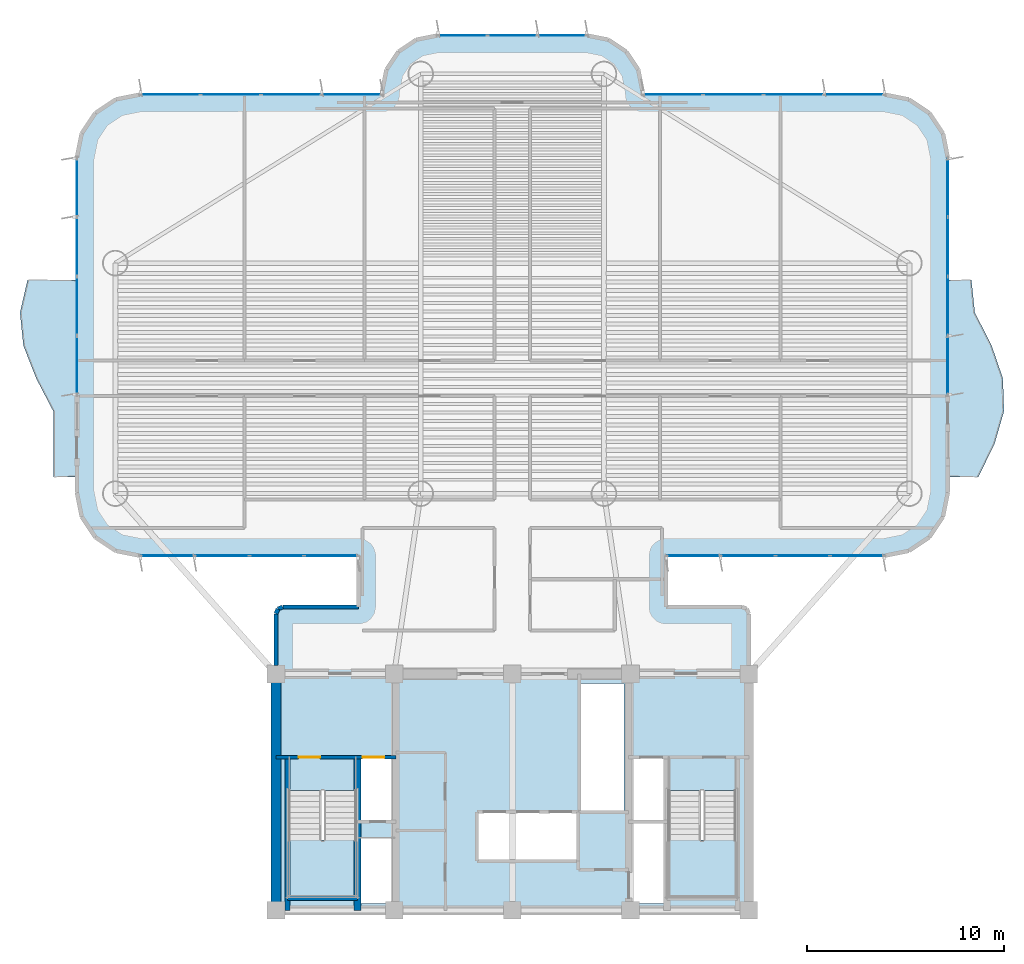
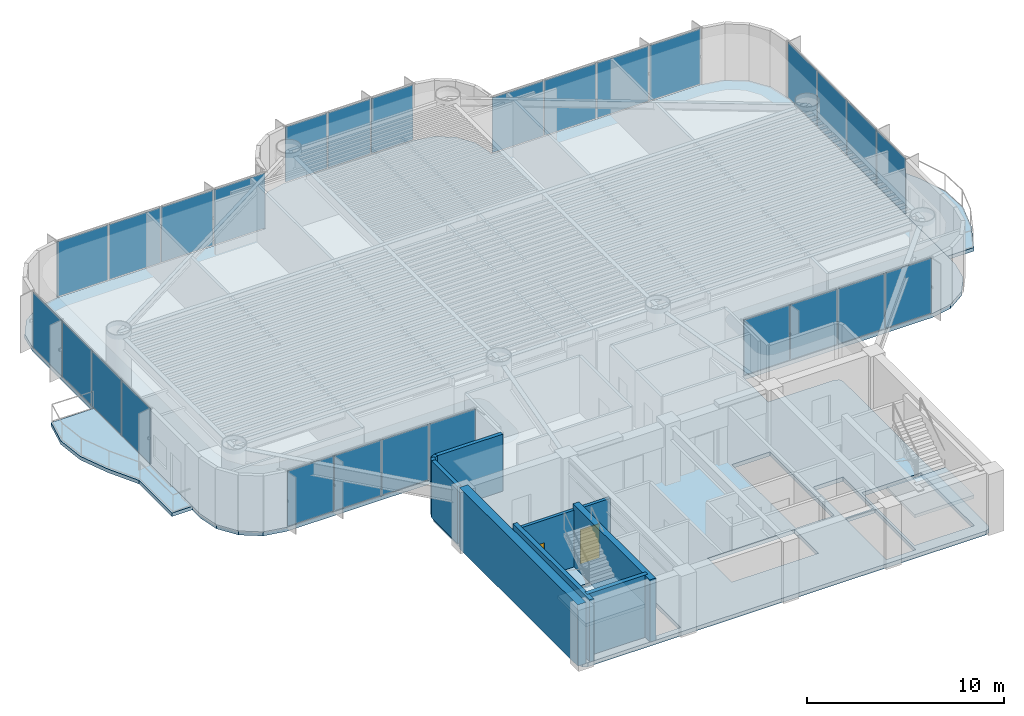
# One storey, part 8 of 16: 27 plates, 9 walls, 5 slabs, 2 doors, 2 openings, 9 elements without a shape of their own.
"""IFC4 building model written with IfcOpenShell, lengths in metres."""

from ifc_helpers import new_model, si_unit, direction, frame, frame_2d, origin, origin_2d, place, context, subcontext, project, spatial, polyline, rectangle, outline, extrude, source, transform, mapped, material, layer, layer_set, type_object, element, fill, aggregate, save


model = new_model("IFC4")

# Units and contexts
model_context = context("Model", 3, precision=1e-05, world=origin(), true_north=direction((0.0, 1.0)))
body_context = subcontext(model_context, "Body", "Model", "MODEL_VIEW")
ifc_project = project(units=[si_unit("LENGTHUNIT", "METRE"), si_unit("AREAUNIT", "SQUARE_METRE"), si_unit("VOLUMEUNIT", "CUBIC_METRE"), si_unit("PLANEANGLEUNIT", "RADIAN"), si_unit("MASSUNIT", "GRAM", prefix="KILO")], contexts=[model_context])

# Site, building, storey
site_placement = place(None, origin())
site = spatial("IfcSite", under=ifc_project, at=site_placement, CompositionType="ELEMENT")
building_placement = place(site_placement, origin())
building = spatial("IfcBuilding", under=site, at=building_placement, Name="Brelvock Crest Care Tower", CompositionType="ELEMENT")
storey_placement = place(building_placement, frame((0.0, 0.0, 108.719970703125)))
storey = spatial("IfcBuildingStorey", under=building, at=storey_placement, Name="L27", CompositionType="ELEMENT", Elevation=108.719970703125)

# Slabs
ifc_material_1 = material(Name="Concrete N50 (50 MPa)", Category="concrete")
ifc_layer_1 = layer(ifc_material_1, 0.22998046875, Name="SLB-FL4")
ifc_layer_set_1 = layer_set([ifc_layer_1], Name="Concrete N50 (50 MPa)")
slab_type_1 = type_object("IfcSlabType", Name="SLB-FL4", PredefinedType="FLOOR", material=ifc_layer_set_1)
slab_1_placement = place(storey_placement, frame((0.0, 0.0, -0.25)))
element("IfcSlab", 1, at=slab_1_placement, inside=storey, type_object=slab_type_1, Name="L27 Main Structural Slab", PredefinedType="FLOOR", context=body_context, shape_type="SweptSolid", body=[
    extrude(outline(polyline([(47.64990234375, 21.39990234375), (43.800048828125, 21.39990234375), (43.800048828125, 24.0), (54.89990234375, 24.0), (56.12451171875, 24.24365234375), (57.16259765625, 24.937255859375), (57.8564453125, 25.975341796875), (58.10009765625, 27.199951171875), (58.10009765625, 44.199951171875), (57.8564453125, 45.424560546875), (57.16259765625, 46.462646484375), (56.12451171875, 47.156494140625), (54.89990234375, 47.39990234375), (42.60009765625, 47.39990234375), (42.60009765625, 47.60009765625), (42.386962890625, 48.67138671875), (41.77978515625, 49.579833984375), (40.87158203125, 50.18701171875), (39.800048828125, 50.39990234375), (32.199951171875, 50.39990234375), (31.12841796875, 50.18701171875), (30.22021484375, 49.579833984375), (29.613037109375, 48.67138671875), (29.39990234375, 47.60009765625), (29.39990234375, 47.39990234375), (17.10009765625, 47.39990234375), (15.87548828125, 47.156494140625), (14.83740234375, 46.462646484375), (14.1435546875, 45.424560546875), (13.89990234375, 44.199951171875), (13.89990234375, 27.199951171875), (14.1435546875, 25.975341796875), (14.83740234375, 24.937255859375), (15.87548828125, 24.24365234375), (17.10009765625, 24.0), (28.199951171875, 24.0), (28.199951171875, 21.39990234375), (24.35009765625, 21.39990234375), (24.1025390625, 21.297607421875), (24.0, 21.050048828125), (24.0, 6.35009765625), (24.1025390625, 6.1025390625), (24.35009765625, 6.0), (47.64990234375, 6.0), (47.8974609375, 6.1025390625), (48.0, 6.35009765625), (48.0, 21.050048828125), (47.8974609375, 21.297607421875), (47.64990234375, 21.39990234375)]), holes=[polyline([(28.239990234375, 10.580078125), (29.97998046875, 10.580078125), (29.97998046875, 13.739990234375), (28.239990234375, 13.739990234375), (28.239990234375, 10.580078125)]), polyline([(42.02001953125, 10.580078125), (43.760009765625, 10.580078125), (43.760009765625, 13.739990234375), (42.02001953125, 13.739990234375), (42.02001953125, 10.580078125)]), polyline([(28.239990234375, 6.340087890625), (29.97998046875, 6.340087890625), (29.97998046875, 9.64990234375), (28.239990234375, 9.64990234375), (28.239990234375, 6.340087890625)]), polyline([(24.6298828125, 12.080078125), (24.6298828125, 6.699951171875), (28.110107421875, 6.699951171875), (28.110107421875, 12.080078125), (24.6298828125, 12.080078125)]), polyline([(43.889892578125, 12.080078125), (43.889892578125, 6.699951171875), (47.3701171875, 6.699951171875), (47.3701171875, 12.080078125), (43.889892578125, 12.080078125)]), polyline([(42.02001953125, 6.340087890625), (43.760009765625, 6.340087890625), (43.760009765625, 10.5), (42.02001953125, 10.5), (42.02001953125, 6.340087890625)]), polyline([(34.22998046875, 8.530029296875), (39.320068359375, 8.530029296875), (39.320068359375, 10.969970703125), (34.22998046875, 10.969970703125), (34.22998046875, 8.530029296875)]), polyline([(39.429931640625, 11.030029296875), (41.669921875, 11.030029296875), (41.669921875, 17.52001953125), (39.429931640625, 17.52001953125), (39.429931640625, 11.030029296875)])]), origin(), (0.0, 0.0, 1.0), 0.25),
])
ifc_layer_2 = layer(ifc_material_1, 0.219970703125, Name="SLB-WB1")
ifc_layer_set_2 = layer_set([ifc_layer_2], Name="Concrete N50 (50 MPa)")
slab_type_2 = type_object("IfcSlabType", Name="SLB-WB1", PredefinedType="FLOOR", material=ifc_layer_set_2)
slab_2_placement = place(storey_placement, frame((0.0, 0.0, -0.219970703125)))
element("IfcSlab", 2, at=slab_2_placement, inside=storey, type_object=slab_type_2, Name="L27 W Sinusoidal Wave Balcony Slab", PredefinedType="FLOOR", context=body_context, shape_type="SweptSolid", body=[
    extrude(outline(polyline([(13.89990234375, 38.0), (11.3955078125, 38.0), (11.011474609375, 36.333251953125), (11.180908203125, 34.666748046875), (11.83349609375, 33.0), (12.699462890625, 31.333251953125), (12.699951171875, 29.666748046875), (12.699951171875, 28.0), (13.89990234375, 28.0), (13.89990234375, 38.0)])), origin(), (0.0, 0.0, 1.0), 0.219970703125),
])
slab_3_placement = place(storey_placement, frame((0.0, 0.0, -0.219970703125)))
element("IfcSlab", 3, at=slab_3_placement, inside=storey, type_object=slab_type_2, Name="L27 E Sinusoidal Wave Balcony Slab", PredefinedType="FLOOR", context=body_context, shape_type="SweptSolid", body=[
    extrude(outline(polyline([(58.10009765625, 28.0), (59.64990234375, 28.0), (60.4716796875, 29.666748046875), (60.9541015625, 31.333251953125), (60.897216796875, 33.0), (60.324951171875, 34.666748046875), (59.473876953125, 36.333251953125), (59.300048828125, 38.0), (58.10009765625, 38.0), (58.10009765625, 28.0)])), origin(), (0.0, 0.0, 1.0), 0.219970703125),
])

# Stair, slab
ifc_material_2 = material(Name="Concrete N40 (40 MPa)", Category="concrete")
stair_type = type_object("IfcStairType", Name="ST-CORE1", PredefinedType="HALF_TURN_STAIR", material=ifc_material_2)
stair_1_placement = place(storey_placement, origin())
stair_1 = element("IfcStair", 4, at=stair_1_placement, inside=storey, type_object=stair_type, Name="L27 Fire-Isolated Core Stair ST-1", PredefinedType="HALF_TURN_STAIR")
ifc_layer_3 = layer(ifc_material_2, 0.199951171875, Name="STL-1")
ifc_layer_set_3 = layer_set([ifc_layer_3], Name="Concrete N40 (40 MPa)")
slab_type_3 = type_object("IfcSlabType", Name="STL-1", PredefinedType="LANDING", material=ifc_layer_set_3)
slab_4_placement = place(storey_placement, frame((0.0, 0.0, 1.68994140625)))
slab_4 = element("IfcSlab", 5, at=slab_4_placement, type_object=slab_type_3, Name="ST-1 landing 1", PredefinedType="LANDING", context=body_context, shape_type="SweptSolid", body=[
    extrude(outline(polyline([(24.6298828125, 9.56005859375), (24.6298828125, 6.699951171875), (28.110107421875, 6.699951171875), (28.110107421875, 9.56005859375), (24.6298828125, 9.56005859375)])), origin(), (0.0, 0.0, 1.0), 0.2001953125),
])
aggregate(stair_1, [slab_4])

stair_2_placement = place(storey_placement, origin())
stair_2 = element("IfcStair", 6, at=stair_2_placement, inside=storey, type_object=stair_type, Name="L27 Fire-Isolated Core Stair ST-2", PredefinedType="HALF_TURN_STAIR")
slab_5_placement = place(storey_placement, frame((0.0, 0.0, 1.68994140625)))
slab_5 = element("IfcSlab", 7, at=slab_5_placement, type_object=slab_type_3, Name="ST-2 landing 1", PredefinedType="LANDING", context=body_context, shape_type="SweptSolid", body=[
    extrude(outline(polyline([(43.889892578125, 9.56005859375), (43.889892578125, 6.699951171875), (47.3701171875, 6.699951171875), (47.3701171875, 9.56005859375), (43.889892578125, 9.56005859375)])), origin(), (0.0, 0.0, 1.0), 0.2001953125),
])
aggregate(stair_2, [slab_5])

# Curtain wall, plates
ifc_material_3 = material(Name="Dark Glass Double Glazed Low-E", Category="glass")
ifc_layer_4 = layer(ifc_material_3, 0.2099609375, Name="CWS-3")
ifc_layer_set_4 = layer_set([ifc_layer_4], Name="Dark Glass Double Glazed Low-E")
curtain_wall_type = type_object("IfcCurtainWallType", Name="CWS-3", PredefinedType="NOTDEFINED", material=ifc_layer_set_4)
curtain_wall_1_placement = place(storey_placement, origin())
curtain_wall_1 = element("IfcCurtainWall", 8, at=curtain_wall_1_placement, inside=storey, type_object=curtain_wall_type, Name="L27 Curtain Wall E12", PredefinedType="NOTDEFINED")
ifc_layer_5 = layer(ifc_material_3, 0.031982421875, Name="CWP-V1")
ifc_layer_set_5 = layer_set([ifc_layer_5], Name="Dark Glass Double Glazed Low-E")
plate_type = type_object("IfcPlateType", Name="CWP-V1", PredefinedType="CURTAIN_PANEL", material=ifc_layer_set_5)
shared_shape_1 = source(origin(), body_context, "Body", "SweptSolid", [
    extrude(rectangle(XDim=2.68505859375, YDim=0.035888671875, at=origin_2d()), origin(), (0.0, 0.0, 1.0), 3.409912109375),
])
plate_1_placement = place(storey_placement, frame((26.797607421875, 24.0, 0.06005859375), z_axis=(0.0, 0.0, 1.0), x_axis=(-1.0, 0.0, 0.0)))
plate_1 = element("IfcPlate", 9, at=plate_1_placement, type_object=plate_type, Name="CW-3 panel 1.1", PredefinedType="CURTAIN_PANEL", context=body_context, shape_type="MappedRepresentation", body=[
    mapped(shared_shape_1, transform((0.0, 0.0, 0.0), x_axis=(1.0, 0.0, 0.0), y_axis=(0.0, 1.0, 0.0), z_axis=(0.0, 0.0, 1.0), scale=1.0)),
])
plate_2_placement = place(storey_placement, frame((18.50244140625, 24.0, 0.06005859375), z_axis=(0.0, 0.0, 1.0), x_axis=(-1.0, 0.0, 0.0)))
plate_2 = element("IfcPlate", 10, at=plate_2_placement, type_object=plate_type, Name="CW-3 panel 4.1", PredefinedType="CURTAIN_PANEL", context=body_context, shape_type="MappedRepresentation", body=[
    mapped(shared_shape_1, transform((0.0, 0.0, 0.0), x_axis=(1.0, 0.0, 0.0), y_axis=(0.0, 1.0, 0.0), z_axis=(0.0, 0.0, 1.0), scale=1.0)),
])

curtain_wall_2_placement = place(storey_placement, origin())
curtain_wall_2 = element("IfcCurtainWall", 11, at=curtain_wall_2_placement, inside=storey, type_object=curtain_wall_type, Name="L27 Curtain Wall E44", PredefinedType="NOTDEFINED")
plate_3_placement = place(storey_placement, frame((53.49755859375, 24.0, 0.06005859375), z_axis=(0.0, 0.0, 1.0), x_axis=(-1.0, 0.0, 0.0)))
plate_3 = element("IfcPlate", 12, at=plate_3_placement, type_object=plate_type, Name="CW-3 panel 1.1", PredefinedType="CURTAIN_PANEL", context=body_context, shape_type="MappedRepresentation", body=[
    mapped(shared_shape_1, transform((0.0, 0.0, 0.0), x_axis=(1.0, 0.0, 0.0), y_axis=(0.0, 1.0, 0.0), z_axis=(0.0, 0.0, 1.0), scale=1.0)),
])
plate_4_placement = place(storey_placement, frame((45.202392578125, 24.0, 0.06005859375), z_axis=(0.0, 0.0, 1.0), x_axis=(-1.0, 0.0, 0.0)))
plate_4 = element("IfcPlate", 13, at=plate_4_placement, type_object=plate_type, Name="CW-3 panel 4.1", PredefinedType="CURTAIN_PANEL", context=body_context, shape_type="MappedRepresentation", body=[
    mapped(shared_shape_1, transform((0.0, 0.0, 0.0), x_axis=(1.0, 0.0, 0.0), y_axis=(0.0, 1.0, 0.0), z_axis=(0.0, 0.0, 1.0), scale=1.0)),
])

# Plate
shared_shape_2 = source(origin(), body_context, "Body", "SweptSolid", [
    extrude(rectangle(XDim=2.715087890625, YDim=0.035888671875, at=origin_2d()), origin(), (0.0, 0.0, 1.0), 3.409912109375),
])
plate_5_placement = place(storey_placement, frame((24.03759765625, 24.0, 0.06005859375), z_axis=(0.0, 0.0, 1.0), x_axis=(-1.0, 0.0, 0.0)))
plate_5 = element("IfcPlate", 14, at=plate_5_placement, type_object=plate_type, Name="CW-3 panel 2.1", PredefinedType="CURTAIN_PANEL", context=body_context, shape_type="MappedRepresentation", body=[
    mapped(shared_shape_2, transform((0.0, 0.0, 0.0), x_axis=(1.0, 0.0, 0.0), y_axis=(0.0, 1.0, 0.0), z_axis=(0.0, 0.0, 1.0), scale=1.0)),
])

plate_6_placement = place(storey_placement, frame((21.262451171875, 24.0, 0.06005859375), z_axis=(0.0, 0.0, 1.0), x_axis=(-1.0, 0.0, 0.0)))
plate_6 = element("IfcPlate", 15, at=plate_6_placement, type_object=plate_type, Name="CW-3 panel 3.1", PredefinedType="CURTAIN_PANEL", context=body_context, shape_type="MappedRepresentation", body=[
    mapped(shared_shape_2, transform((0.0, 0.0, 0.0), x_axis=(1.0, 0.0, 0.0), y_axis=(0.0, 1.0, 0.0), z_axis=(0.0, 0.0, 1.0), scale=1.0)),
])

aggregate(curtain_wall_1, [plate_1, plate_5, plate_6, plate_2])

plate_7_placement = place(storey_placement, frame((50.737548828125, 24.0, 0.06005859375), z_axis=(0.0, 0.0, 1.0), x_axis=(-1.0, 0.0, 0.0)))
plate_7 = element("IfcPlate", 16, at=plate_7_placement, type_object=plate_type, Name="CW-3 panel 2.1", PredefinedType="CURTAIN_PANEL", context=body_context, shape_type="MappedRepresentation", body=[
    mapped(shared_shape_2, transform((0.0, 0.0, 0.0), x_axis=(1.0, 0.0, 0.0), y_axis=(0.0, 1.0, 0.0), z_axis=(0.0, 0.0, 1.0), scale=1.0)),
])

plate_8_placement = place(storey_placement, frame((47.96240234375, 24.0, 0.06005859375), z_axis=(0.0, 0.0, 1.0), x_axis=(-1.0, 0.0, 0.0)))
plate_8 = element("IfcPlate", 17, at=plate_8_placement, type_object=plate_type, Name="CW-3 panel 3.1", PredefinedType="CURTAIN_PANEL", context=body_context, shape_type="MappedRepresentation", body=[
    mapped(shared_shape_2, transform((0.0, 0.0, 0.0), x_axis=(1.0, 0.0, 0.0), y_axis=(0.0, 1.0, 0.0), z_axis=(0.0, 0.0, 1.0), scale=1.0)),
])

aggregate(curtain_wall_2, [plate_3, plate_7, plate_8, plate_4])

# Curtain wall, plates
curtain_wall_3_placement = place(storey_placement, origin())
curtain_wall_3 = element("IfcCurtainWall", 18, at=curtain_wall_3_placement, inside=storey, type_object=curtain_wall_type, Name="L27 Curtain Wall E17B", PredefinedType="NOTDEFINED")
shared_shape_3 = source(origin(), body_context, "Body", "SweptSolid", [
    extrude(rectangle(XDim=2.922607421875, YDim=0.035888671875, at=origin_2d()), origin(), (0.0, 0.0, 1.0), 3.409912109375),
])
plate_9_placement = place(storey_placement, frame((13.89990234375, 33.671142578125, 0.06005859375), z_axis=(0.0, 0.0, 1.0), x_axis=(0.0, 1.0, 0.0)))
plate_9 = element("IfcPlate", 19, at=plate_9_placement, type_object=plate_type, Name="CW-3 panel 1.1", PredefinedType="CURTAIN_PANEL", context=body_context, shape_type="MappedRepresentation", body=[
    mapped(shared_shape_3, transform((0.0, 0.0, 0.0), x_axis=(1.0, 0.0, 0.0), y_axis=(0.0, 1.0, 0.0), z_axis=(0.0, 0.0, 1.0), scale=1.0)),
])
plate_10_placement = place(storey_placement, frame((13.89990234375, 42.6787109375, 0.06005859375), z_axis=(0.0, 0.0, 1.0), x_axis=(0.0, 1.0, 0.0)))
plate_10 = element("IfcPlate", 20, at=plate_10_placement, type_object=plate_type, Name="CW-3 panel 4.1", PredefinedType="CURTAIN_PANEL", context=body_context, shape_type="MappedRepresentation", body=[
    mapped(shared_shape_3, transform((0.0, 0.0, 0.0), x_axis=(1.0, 0.0, 0.0), y_axis=(0.0, 1.0, 0.0), z_axis=(0.0, 0.0, 1.0), scale=1.0)),
])

curtain_wall_4_placement = place(storey_placement, origin())
curtain_wall_4 = element("IfcCurtainWall", 21, at=curtain_wall_4_placement, inside=storey, type_object=curtain_wall_type, Name="L27 Curtain Wall E39A", PredefinedType="NOTDEFINED")
plate_11_placement = place(storey_placement, frame((58.10009765625, 42.6787109375, 0.06005859375), z_axis=(0.0, 0.0, 1.0), x_axis=(0.0, -1.0, 0.0)))
plate_11 = element("IfcPlate", 22, at=plate_11_placement, type_object=plate_type, Name="CW-3 panel 1.1", PredefinedType="CURTAIN_PANEL", context=body_context, shape_type="MappedRepresentation", body=[
    mapped(shared_shape_3, transform((0.0, 0.0, 0.0), x_axis=(1.0, 0.0, 0.0), y_axis=(0.0, 1.0, 0.0), z_axis=(0.0, 0.0, 1.0), scale=1.0)),
])
plate_12_placement = place(storey_placement, frame((58.10009765625, 33.671142578125, 0.06005859375), z_axis=(0.0, 0.0, 1.0), x_axis=(0.0, -1.0, 0.0)))
plate_12 = element("IfcPlate", 23, at=plate_12_placement, type_object=plate_type, Name="CW-3 panel 4.1", PredefinedType="CURTAIN_PANEL", context=body_context, shape_type="MappedRepresentation", body=[
    mapped(shared_shape_3, transform((0.0, 0.0, 0.0), x_axis=(1.0, 0.0, 0.0), y_axis=(0.0, 1.0, 0.0), z_axis=(0.0, 0.0, 1.0), scale=1.0)),
])

# Plate
shared_shape_4 = source(origin(), body_context, "Body", "SweptSolid", [
    extrude(rectangle(XDim=2.952392578125, YDim=0.035888671875, at=origin_2d()), origin(), (0.0, 0.0, 1.0), 3.409912109375),
])
plate_13_placement = place(storey_placement, frame((13.89990234375, 36.668701171875, 0.06005859375), z_axis=(0.0, 0.0, 1.0), x_axis=(0.0, 1.0, 0.0)))
plate_13 = element("IfcPlate", 24, at=plate_13_placement, type_object=plate_type, Name="CW-3 panel 2.1", PredefinedType="CURTAIN_PANEL", context=body_context, shape_type="MappedRepresentation", body=[
    mapped(shared_shape_4, transform((0.0, 0.0, 0.0), x_axis=(1.0, 0.0, 0.0), y_axis=(0.0, 1.0, 0.0), z_axis=(0.0, 0.0, 1.0), scale=1.0)),
])

plate_14_placement = place(storey_placement, frame((13.89990234375, 39.68115234375, 0.06005859375), z_axis=(0.0, 0.0, 1.0), x_axis=(0.0, 1.0, 0.0)))
plate_14 = element("IfcPlate", 25, at=plate_14_placement, type_object=plate_type, Name="CW-3 panel 3.1", PredefinedType="CURTAIN_PANEL", context=body_context, shape_type="MappedRepresentation", body=[
    mapped(shared_shape_4, transform((0.0, 0.0, 0.0), x_axis=(1.0, 0.0, 0.0), y_axis=(0.0, 1.0, 0.0), z_axis=(0.0, 0.0, 1.0), scale=1.0)),
])

aggregate(curtain_wall_3, [plate_9, plate_13, plate_14, plate_10])

plate_15_placement = place(storey_placement, frame((58.10009765625, 39.68115234375, 0.06005859375), z_axis=(0.0, 0.0, 1.0), x_axis=(0.0, -1.0, 0.0)))
plate_15 = element("IfcPlate", 26, at=plate_15_placement, type_object=plate_type, Name="CW-3 panel 2.1", PredefinedType="CURTAIN_PANEL", context=body_context, shape_type="MappedRepresentation", body=[
    mapped(shared_shape_4, transform((0.0, 0.0, 0.0), x_axis=(1.0, 0.0, 0.0), y_axis=(0.0, 1.0, 0.0), z_axis=(0.0, 0.0, 1.0), scale=1.0)),
])

plate_16_placement = place(storey_placement, frame((58.10009765625, 36.668701171875, 0.06005859375), z_axis=(0.0, 0.0, 1.0), x_axis=(0.0, -1.0, 0.0)))
plate_16 = element("IfcPlate", 27, at=plate_16_placement, type_object=plate_type, Name="CW-3 panel 3.1", PredefinedType="CURTAIN_PANEL", context=body_context, shape_type="MappedRepresentation", body=[
    mapped(shared_shape_4, transform((0.0, 0.0, 0.0), x_axis=(1.0, 0.0, 0.0), y_axis=(0.0, 1.0, 0.0), z_axis=(0.0, 0.0, 1.0), scale=1.0)),
])

aggregate(curtain_wall_4, [plate_11, plate_15, plate_16, plate_12])

# Curtain wall, plates
curtain_wall_5_placement = place(storey_placement, origin())
curtain_wall_5 = element("IfcCurtainWall", 28, at=curtain_wall_5_placement, inside=storey, type_object=curtain_wall_type, Name="L27 Curtain Wall E22", PredefinedType="NOTDEFINED")
shared_shape_5 = source(origin(), body_context, "Body", "SweptSolid", [
    extrude(rectangle(XDim=2.985107421875, YDim=0.035888671875, at=origin_2d()), origin(), (0.0, 0.0, 1.0), 3.409912109375),
])
plate_17_placement = place(storey_placement, frame((18.652587890625, 47.39990234375, 0.06005859375), z_axis=(0.0, 0.0, 1.0), x_axis=(1.0, 0.0, 0.0)))
plate_17 = element("IfcPlate", 29, at=plate_17_placement, type_object=plate_type, Name="CW-3 panel 1.1", PredefinedType="CURTAIN_PANEL", context=body_context, shape_type="MappedRepresentation", body=[
    mapped(shared_shape_5, transform((0.0, 0.0, 0.0), x_axis=(1.0, 0.0, 0.0), y_axis=(0.0, 1.0, 0.0), z_axis=(0.0, 0.0, 1.0), scale=1.0)),
])
plate_18_placement = place(storey_placement, frame((27.847412109375, 47.39990234375, 0.06005859375), z_axis=(0.0, 0.0, 1.0), x_axis=(1.0, 0.0, 0.0)))
plate_18 = element("IfcPlate", 30, at=plate_18_placement, type_object=plate_type, Name="CW-3 panel 4.1", PredefinedType="CURTAIN_PANEL", context=body_context, shape_type="MappedRepresentation", body=[
    mapped(shared_shape_5, transform((0.0, 0.0, 0.0), x_axis=(1.0, 0.0, 0.0), y_axis=(0.0, 1.0, 0.0), z_axis=(0.0, 0.0, 1.0), scale=1.0)),
])

curtain_wall_6_placement = place(storey_placement, origin())
curtain_wall_6 = element("IfcCurtainWall", 31, at=curtain_wall_6_placement, inside=storey, type_object=curtain_wall_type, Name="L27 Curtain Wall E34", PredefinedType="NOTDEFINED")
plate_19_placement = place(storey_placement, frame((44.152587890625, 47.39990234375, 0.06005859375), z_axis=(0.0, 0.0, 1.0), x_axis=(1.0, 0.0, 0.0)))
plate_19 = element("IfcPlate", 32, at=plate_19_placement, type_object=plate_type, Name="CW-3 panel 1.1", PredefinedType="CURTAIN_PANEL", context=body_context, shape_type="MappedRepresentation", body=[
    mapped(shared_shape_5, transform((0.0, 0.0, 0.0), x_axis=(1.0, 0.0, 0.0), y_axis=(0.0, 1.0, 0.0), z_axis=(0.0, 0.0, 1.0), scale=1.0)),
])
plate_20_placement = place(storey_placement, frame((53.347412109375, 47.39990234375, 0.06005859375), z_axis=(0.0, 0.0, 1.0), x_axis=(1.0, 0.0, 0.0)))
plate_20 = element("IfcPlate", 33, at=plate_20_placement, type_object=plate_type, Name="CW-3 panel 4.1", PredefinedType="CURTAIN_PANEL", context=body_context, shape_type="MappedRepresentation", body=[
    mapped(shared_shape_5, transform((0.0, 0.0, 0.0), x_axis=(1.0, 0.0, 0.0), y_axis=(0.0, 1.0, 0.0), z_axis=(0.0, 0.0, 1.0), scale=1.0)),
])

# Plate
shared_shape_6 = source(origin(), body_context, "Body", "SweptSolid", [
    extrude(rectangle(XDim=3.014892578125, YDim=0.035888671875, at=origin_2d()), origin(), (0.0, 0.0, 1.0), 3.409912109375),
])
plate_21_placement = place(storey_placement, frame((21.71240234375, 47.39990234375, 0.06005859375), z_axis=(0.0, 0.0, 1.0), x_axis=(1.0, 0.0, 0.0)))
plate_21 = element("IfcPlate", 34, at=plate_21_placement, type_object=plate_type, Name="CW-3 panel 2.1", PredefinedType="CURTAIN_PANEL", context=body_context, shape_type="MappedRepresentation", body=[
    mapped(shared_shape_6, transform((0.0, 0.0, 0.0), x_axis=(1.0, 0.0, 0.0), y_axis=(0.0, 1.0, 0.0), z_axis=(0.0, 0.0, 1.0), scale=1.0)),
])

plate_22_placement = place(storey_placement, frame((24.78759765625, 47.39990234375, 0.06005859375), z_axis=(0.0, 0.0, 1.0), x_axis=(1.0, 0.0, 0.0)))
plate_22 = element("IfcPlate", 35, at=plate_22_placement, type_object=plate_type, Name="CW-3 panel 3.1", PredefinedType="CURTAIN_PANEL", context=body_context, shape_type="MappedRepresentation", body=[
    mapped(shared_shape_6, transform((0.0, 0.0, 0.0), x_axis=(1.0, 0.0, 0.0), y_axis=(0.0, 1.0, 0.0), z_axis=(0.0, 0.0, 1.0), scale=1.0)),
])

aggregate(curtain_wall_5, [plate_17, plate_21, plate_22, plate_18])

plate_23_placement = place(storey_placement, frame((47.21240234375, 47.39990234375, 0.06005859375), z_axis=(0.0, 0.0, 1.0), x_axis=(1.0, 0.0, 0.0)))
plate_23 = element("IfcPlate", 36, at=plate_23_placement, type_object=plate_type, Name="CW-3 panel 2.1", PredefinedType="CURTAIN_PANEL", context=body_context, shape_type="MappedRepresentation", body=[
    mapped(shared_shape_6, transform((0.0, 0.0, 0.0), x_axis=(1.0, 0.0, 0.0), y_axis=(0.0, 1.0, 0.0), z_axis=(0.0, 0.0, 1.0), scale=1.0)),
])

plate_24_placement = place(storey_placement, frame((50.28759765625, 47.39990234375, 0.06005859375), z_axis=(0.0, 0.0, 1.0), x_axis=(1.0, 0.0, 0.0)))
plate_24 = element("IfcPlate", 37, at=plate_24_placement, type_object=plate_type, Name="CW-3 panel 3.1", PredefinedType="CURTAIN_PANEL", context=body_context, shape_type="MappedRepresentation", body=[
    mapped(shared_shape_6, transform((0.0, 0.0, 0.0), x_axis=(1.0, 0.0, 0.0), y_axis=(0.0, 1.0, 0.0), z_axis=(0.0, 0.0, 1.0), scale=1.0)),
])

aggregate(curtain_wall_6, [plate_19, plate_23, plate_24, plate_20])

# Curtain wall, plates
curtain_wall_7_placement = place(storey_placement, origin())
curtain_wall_7 = element("IfcCurtainWall", 38, at=curtain_wall_7_placement, inside=storey, type_object=curtain_wall_type, Name="L27 Curtain Wall E28", PredefinedType="NOTDEFINED")
shared_shape_7 = source(origin(), body_context, "Body", "SweptSolid", [
    extrude(rectangle(XDim=2.443359375, YDim=0.035888671875, at=origin_2d()), origin(), (0.0, 0.0, 1.0), 3.409912109375),
])
plate_25_placement = place(storey_placement, frame((33.481689453125, 50.39990234375, 0.06005859375), z_axis=(0.0, 0.0, 1.0), x_axis=(1.0, 0.0, 0.0)))
plate_25 = element("IfcPlate", 39, at=plate_25_placement, type_object=plate_type, Name="CW-3 panel 1.1", PredefinedType="CURTAIN_PANEL", context=body_context, shape_type="MappedRepresentation", body=[
    mapped(shared_shape_7, transform((0.0, 0.0, 0.0), x_axis=(1.0, 0.0, 0.0), y_axis=(0.0, 1.0, 0.0), z_axis=(0.0, 0.0, 1.0), scale=1.0)),
])
plate_26_placement = place(storey_placement, frame((38.518310546875, 50.39990234375, 0.06005859375), z_axis=(0.0, 0.0, 1.0), x_axis=(1.0, 0.0, 0.0)))
plate_26 = element("IfcPlate", 40, at=plate_26_placement, type_object=plate_type, Name="CW-3 panel 3.1", PredefinedType="CURTAIN_PANEL", context=body_context, shape_type="MappedRepresentation", body=[
    mapped(shared_shape_7, transform((0.0, 0.0, 0.0), x_axis=(1.0, 0.0, 0.0), y_axis=(0.0, 1.0, 0.0), z_axis=(0.0, 0.0, 1.0), scale=1.0)),
])
shared_shape_8 = source(origin(), body_context, "Body", "SweptSolid", [
    extrude(rectangle(XDim=2.473388671875, YDim=0.035888671875, at=origin_2d()), origin(), (0.0, 0.0, 1.0), 3.409912109375),
])
plate_27_placement = place(storey_placement, frame((36.0, 50.39990234375, 0.06005859375), z_axis=(0.0, 0.0, 1.0), x_axis=(1.0, 0.0, 0.0)))
plate_27 = element("IfcPlate", 41, at=plate_27_placement, type_object=plate_type, Name="CW-3 panel 2.1", PredefinedType="CURTAIN_PANEL", context=body_context, shape_type="MappedRepresentation", body=[
    mapped(shared_shape_8, transform((0.0, 0.0, 0.0), x_axis=(1.0, 0.0, 0.0), y_axis=(0.0, 1.0, 0.0), z_axis=(0.0, 0.0, 1.0), scale=1.0)),
])
aggregate(curtain_wall_7, [plate_25, plate_27, plate_26])

# Walls
ifc_material_4 = material(Name="Concrete S80 (80 MPa)", Category="concrete")
ifc_layer_6 = layer(ifc_material_4, 0.5, Name="WL-CS2")
ifc_layer_set_6 = layer_set([ifc_layer_6], Name="Concrete S80 (80 MPa)")
wall_type_1 = type_object("IfcWallType", Name="WL-CS2", PredefinedType="SHEAR", material=ifc_layer_set_6)
wall_1_placement = place(storey_placement, frame((24.0, 6.0, 0.0), z_axis=(0.0, 0.0, 1.0), x_axis=(0.0, 1.0, 0.0)))
element("IfcWall", 42, at=wall_1_placement, inside=storey, type_object=wall_type_1, Name="L27 Core West Shear Wall", PredefinedType="SHEAR", context=body_context, shape_type="SweptSolid", body=[
    extrude(rectangle(XDim=12.0, YDim=0.5, at=frame_2d((6.0, 0.0))), origin(), (0.0, 0.0, 1.0), 3.780029296875),
])
ifc_layer_7 = layer(ifc_material_4, 0.35009765625, Name="WL-CS5")
ifc_layer_set_7 = layer_set([ifc_layer_7], Name="Concrete S80 (80 MPa)")
wall_type_2 = type_object("IfcWallType", Name="WL-CS5", PredefinedType="SHEAR", material=ifc_layer_set_7)
wall_2_placement = place(storey_placement, frame((28.14990234375, 6.0, 0.0), z_axis=(0.0, 0.0, 1.0), x_axis=(0.0, 1.0, 0.0)))
element("IfcWall", 43, at=wall_2_placement, inside=storey, type_object=wall_type_2, Name="L27 Core Stair ST-1 East Shear Wall", PredefinedType="SHEAR", context=body_context, shape_type="SweptSolid", body=[
    extrude(rectangle(XDim=7.780029296875, YDim=0.35009765625, at=frame_2d((3.89013671875, 0.0))), origin(), (0.0, 0.0, 1.0), 3.85009765625),
])
ifc_layer_8 = layer(ifc_material_4, 0.25, Name="WL-CS6")
ifc_layer_set_8 = layer_set([ifc_layer_8], Name="Concrete S80 (80 MPa)")
wall_type_3 = type_object("IfcWallType", Name="WL-CS6", PredefinedType="SHEAR", material=ifc_layer_set_8)
wall_3_placement = place(storey_placement, frame((24.580078125, 6.0, 0.0), z_axis=(0.0, 0.0, 1.0), x_axis=(0.0, 1.0, 0.0)))
element("IfcWall", 44, at=wall_3_placement, inside=storey, type_object=wall_type_3, Name="L27 Core Stair ST-1 West Shear Wall", PredefinedType="SHEAR", context=body_context, shape_type="SweptSolid", body=[
    extrude(rectangle(XDim=7.780029296875, YDim=0.25, at=frame_2d((3.89013671875, 0.0))), origin(), (0.0, 0.0, 1.0), 3.85009765625),
])
wall_4_placement = place(storey_placement, frame((24.580078125, 6.6201171875, 0.0), z_axis=(0.0, 0.0, 1.0), x_axis=(1.0, 0.0, 0.0)))
element("IfcWall", 45, at=wall_4_placement, inside=storey, type_object=wall_type_3, Name="L27 Core Stair ST-1 South Shear Wall", PredefinedType="SHEAR", context=body_context, shape_type="SweptSolid", body=[
    extrude(rectangle(XDim=3.56982421875, YDim=0.25, at=frame_2d((1.784912109375, 0.0))), origin(), (0.0, 0.0, 1.0), 3.85009765625),
])
ifc_material_5 = material(Name="Precast concrete N40 (40 MPa)", Category="concrete")
ifc_layer_9 = layer(ifc_material_5, 0.215087890625, Name="WL-EX2")
ifc_layer_set_9 = layer_set([ifc_layer_9], Name="Precast concrete N40 (40 MPa)")
wall_type_4 = type_object("IfcWallType", Name="WL-EX2", PredefinedType="SOLIDWALL", material=ifc_layer_set_9)
wall_5_placement = place(storey_placement, frame((24.0, 18.429931640625, 0.0), z_axis=(0.0, 0.0, 1.0), x_axis=(0.0, 1.0, 0.0)))
element("IfcWall", 46, at=wall_5_placement, inside=storey, type_object=wall_type_4, Name="L27 Rounded Corner Wall 07", PredefinedType="SOLIDWALL", context=body_context, shape_type="SweptSolid", body=[
    extrude(rectangle(XDim=2.6201171875, YDim=0.215087890625, at=frame_2d((1.31005859375, 0.0))), origin(), (0.0, 0.0, 1.0), 3.530029296875),
])
wall_6_placement = place(storey_placement, frame((24.0, 21.050048828125, 0.0), z_axis=(0.0, 0.0, 1.0), x_axis=(0.382673670509, 0.923883575944, 0.0)))
element("IfcWall", 47, at=wall_6_placement, inside=storey, type_object=wall_type_4, Name="L27 Rounded Corner Wall 08", PredefinedType="SOLIDWALL", context=body_context, shape_type="SweptSolid", body=[
    extrude(rectangle(XDim=0.26806640625, YDim=0.215087890625, at=frame_2d((0.134033203125, 0.0))), origin(), (0.0, 0.0, 1.0), 3.530029296875),
])
wall_7_placement = place(storey_placement, frame((24.1025390625, 21.297607421875, 0.0), z_axis=(0.0, 0.0, 1.0), x_axis=(0.924205486139, 0.381895560841, 0.0)))
element("IfcWall", 48, at=wall_7_placement, inside=storey, type_object=wall_type_4, Name="L27 Rounded Corner Wall 09", PredefinedType="SOLIDWALL", context=body_context, shape_type="SweptSolid", body=[
    extrude(rectangle(XDim=0.267822265625, YDim=0.215087890625, at=frame_2d((0.1337890625, 0.0))), origin(), (0.0, 0.0, 1.0), 3.530029296875),
])
wall_8_placement = place(storey_placement, frame((24.35009765625, 21.39990234375, 0.0), z_axis=(0.0, 0.0, 1.0), x_axis=(1.0, 0.0, 0.0)))
element("IfcWall", 49, at=wall_8_placement, inside=storey, type_object=wall_type_4, Name="L27 Rounded Corner Wall 10", PredefinedType="SOLIDWALL", context=body_context, shape_type="SweptSolid", body=[
    extrude(rectangle(XDim=3.849853515625, YDim=0.215087890625, at=frame_2d((1.9248046875, 0.0))), origin(), (0.0, 0.0, 1.0), 3.530029296875),
])

# Wall, openings, doors
ifc_material_6 = material(Name="Masonry Blockwork Acoustic Partition", Category="masonry")
ifc_layer_10 = layer(ifc_material_6, 0.179931640625, Name="WL-SHF1")
ifc_layer_set_10 = layer_set([ifc_layer_10], Name="Masonry Blockwork Acoustic Partition")
wall_type_5 = type_object("IfcWallType", Name="WL-SHF1", PredefinedType="PARTITIONING", material=ifc_layer_set_10)
wall_9_placement = place(storey_placement, frame((24.0, 13.780029296875, 0.0), z_axis=(0.0, 0.0, 1.0), x_axis=(1.0, 0.0, 0.0)))
wall_9 = element("IfcWall", 50, at=wall_9_placement, inside=storey, type_object=wall_type_5, Name="L27 Interior Wall WL-ST1-N-L27", PredefinedType="PARTITIONING", context=body_context, shape_type="SweptSolid", body=[
    extrude(rectangle(XDim=6.10009765625, YDim=0.179931640625, at=frame_2d((3.050048828125, 0.0))), origin(), (0.0, 0.0, 1.0), 3.5),
])
opening_1_placement = place(wall_9_placement, frame((1.14990234375, 0.0, 0.0)))
opening_1 = element("IfcOpeningElement", 51, at=opening_1_placement, cuts=wall_9, Name="Opening SD-1", PredefinedType="OPENING", context=body_context, shape_type="SweptSolid", body=[
    extrude(rectangle(XDim=1.10009765625, YDim=2.10009765625, at=origin_2d()), frame((0.550048828125, 0.10009765625, 1.050048828125), z_axis=(0.0, -1.0, 0.0), x_axis=(1.0, 0.0, 0.0)), (0.0, 0.0, 1.0), 0.199951171875),
])
opening_2_placement = place(wall_9_placement, frame((4.39990234375, 0.0, 0.0)))
opening_2 = element("IfcOpeningElement", 52, at=opening_2_placement, cuts=wall_9, Name="Opening LD", PredefinedType="OPENING", context=body_context, shape_type="SweptSolid", body=[
    extrude(rectangle(XDim=1.10009765625, YDim=2.10009765625, at=origin_2d()), frame((0.550048828125, 0.10009765625, 1.050048828125), z_axis=(0.0, -1.0, 0.0), x_axis=(1.0, 0.0, 0.0)), (0.0, 0.0, 1.0), 0.199951171875),
])
ifc_material_7 = material(Name="Steel Grade 350", Category="steel")
door_type_1 = type_object("IfcDoorType", Name="DR-ST1", OperationType="NOTDEFINED", PredefinedType="DOOR", material=ifc_material_7)
shared_shape_9 = source(origin(), body_context, "Body", "SweptSolid", [
    extrude(rectangle(XDim=1.10009765625, YDim=2.10009765625, at=origin_2d()), frame((0.550048828125, 0.02490234375, 1.050048828125), z_axis=(0.0, -1.0, 0.0), x_axis=(1.0, 0.0, 0.0)), (0.0, 0.0, 1.0), 0.050048828125),
])
door_1_placement = place(opening_1_placement, origin())
door_1 = element("IfcDoor", 53, at=door_1_placement, inside=storey, type_object=door_type_1, Name="L27 Fire Stair ST-1 Door", OperationType="SINGLE_SWING_LEFT", OverallHeight=2.10009765625, OverallWidth=1.10009765625, PredefinedType="DOOR", context=body_context, shape_type="MappedRepresentation", body=[
    mapped(shared_shape_9, transform((0.0, 0.0, 0.0), x_axis=(1.0, 0.0, 0.0), y_axis=(0.0, 1.0, 0.0), z_axis=(0.0, 0.0, 1.0), scale=1.0)),
])
fill(opening_1, door_1)
door_type_2 = type_object("IfcDoorType", Name="DR-LD1", OperationType="NOTDEFINED", PredefinedType="DOOR", material=ifc_material_7)
shared_shape_10 = source(origin(), body_context, "Body", "SweptSolid", [
    extrude(rectangle(XDim=1.10009765625, YDim=2.10009765625, at=origin_2d()), frame((0.550048828125, 0.02490234375, 1.050048828125), z_axis=(0.0, -1.0, 0.0), x_axis=(1.0, 0.0, 0.0)), (0.0, 0.0, 1.0), 0.050048828125),
])
door_2_placement = place(opening_2_placement, origin())
door_2 = element("IfcDoor", 54, at=door_2_placement, inside=storey, type_object=door_type_2, Name="L27 Firefighting Lift FFL-1 Landing Door", OperationType="SLIDING_TO_LEFT", OverallHeight=2.10009765625, OverallWidth=1.10009765625, PredefinedType="DOOR", context=body_context, shape_type="MappedRepresentation", body=[
    mapped(shared_shape_10, transform((0.0, 0.0, 0.0), x_axis=(1.0, 0.0, 0.0), y_axis=(0.0, 1.0, 0.0), z_axis=(0.0, 0.0, 1.0), scale=1.0)),
])
fill(opening_2, door_2)

save(model, "model.ifc")
